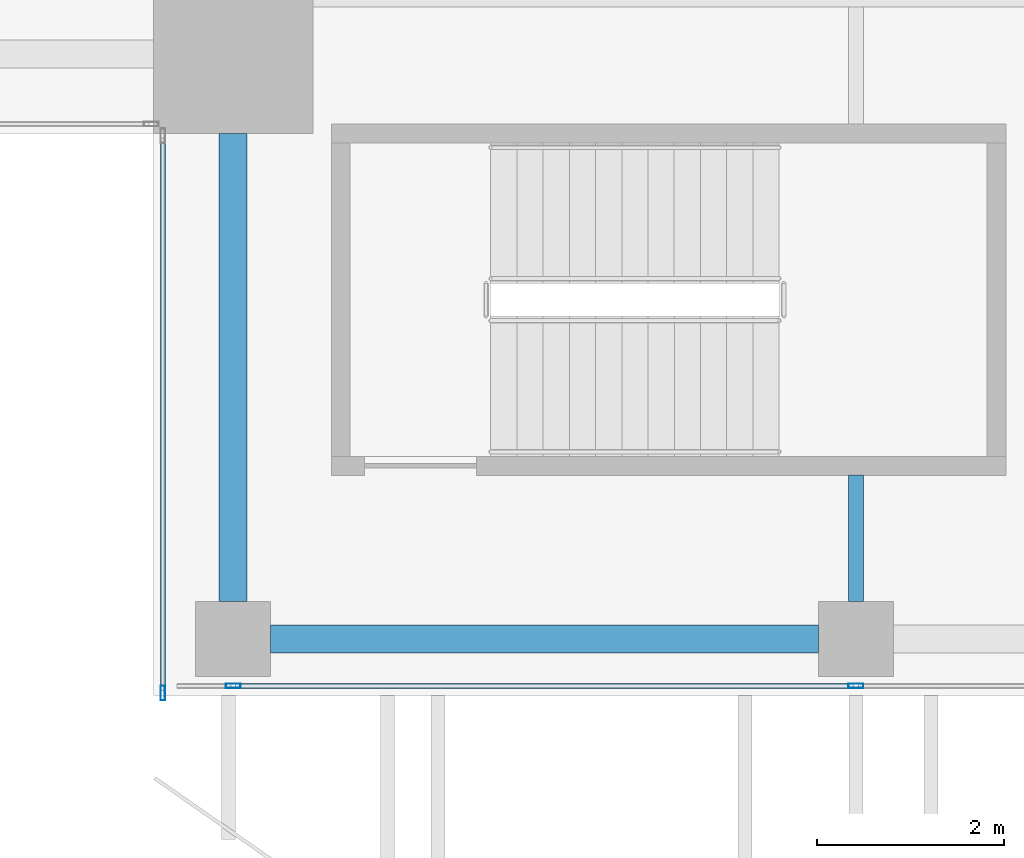
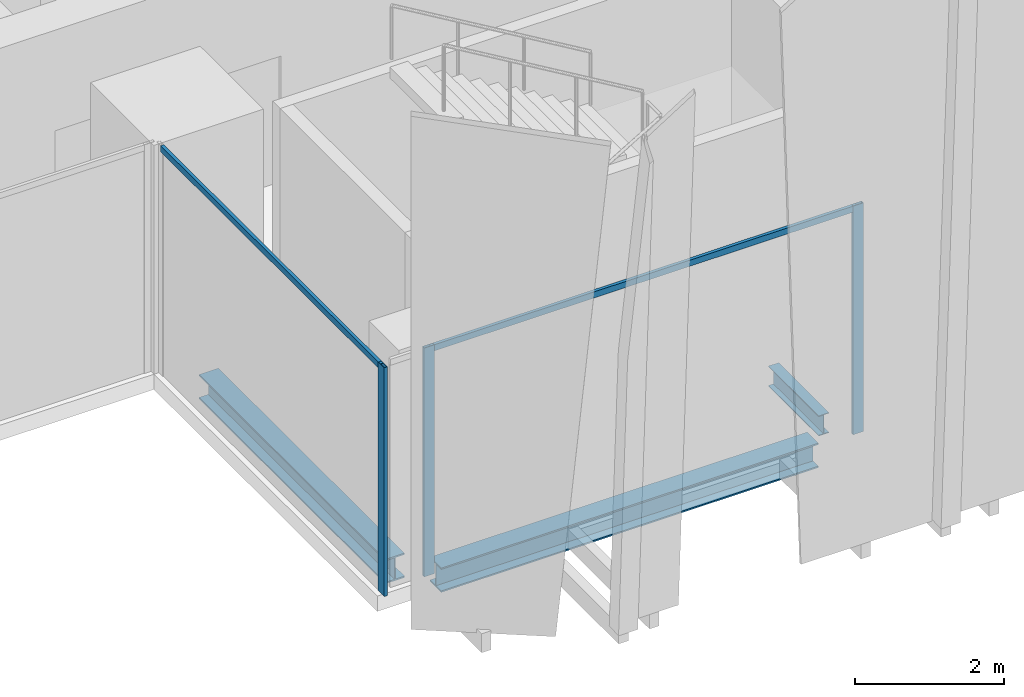
# One storey, part 2 of 32: 5 members, 3 beams, 2 elements without a shape of their own.
"""IFC4 building model written with IfcOpenShell, lengths in metres."""

from ifc_helpers import new_model, si_unit, direction, frame, origin, origin_2d, place, context, subcontext, project, spatial, hollow_rectangle, i_section, extrude, source, transform, mapped, material, material_profile, profile_set, type_object, element, aggregate, save


model = new_model("IFC4")

# Units and contexts
model_context = context("Model", 3, precision=1e-05, world=origin(), true_north=direction((0.0, 1.0)))
body_context = subcontext(model_context, "Body", "Model", "MODEL_VIEW")
ifc_project = project(units=[si_unit("LENGTHUNIT", "METRE"), si_unit("AREAUNIT", "SQUARE_METRE"), si_unit("VOLUMEUNIT", "CUBIC_METRE"), si_unit("PLANEANGLEUNIT", "RADIAN"), si_unit("MASSUNIT", "GRAM", prefix="KILO")], contexts=[model_context])

# Site, building, storey
site_placement = place(None, origin())
site = spatial("IfcSite", under=ifc_project, at=site_placement, CompositionType="ELEMENT")
building_placement = place(site_placement, origin())
building = spatial("IfcBuilding", under=site, at=building_placement, Name="Khomas Fold Tower", CompositionType="ELEMENT")
storey_placement = place(building_placement, frame((0.0, 0.0, 306.199951171875)))
storey = spatial("IfcBuildingStorey", under=building, at=storey_placement, Name="L69", CompositionType="ELEMENT", Elevation=306.199951171875)

# Beams
ifc_material_1 = material(Name="Steel S355", Category="steel")
ifc_material_profile_1 = material_profile(ifc_material_1, i_section(OverallWidth=0.159912109375, OverallDepth=0.330078125, WebThickness=0.007568359375, FlangeThickness=0.011474609375, at=origin_2d()), Name="IPE 330")
ifc_profile_set_1 = profile_set([ifc_material_profile_1], Name="Steel S355")
beam_type_1 = type_object("IfcBeamType", Name="IPE 330 beam JB1", PredefinedType="BEAM", material=ifc_profile_set_1)
shared_shape_1 = source(origin(), body_context, "Body", "SweptSolid", [
    extrude(i_section(OverallWidth=0.159912109375, OverallDepth=0.330078125, WebThickness=0.007568359375, FlangeThickness=0.011474609375, at=origin_2d()), origin(), (0.0, 0.0, 1.0), 1.35009765625),
])
beam_1_placement = place(storey_placement, frame((19.5, 7.0, -0.4150390625), z_axis=(0.0, 1.0, 0.0), x_axis=(-1.0, 0.0, 0.0)))
element("IfcBeam", 1, at=beam_1_placement, inside=storey, type_object=beam_type_1, Name="JB1", PredefinedType="BEAM", context=body_context, shape_type="MappedRepresentation", body=[
    mapped(shared_shape_1, transform((0.0, 0.0, 0.0))),
])
ifc_material_2 = material(Name="Steel S355", Category="steel")
ifc_material_profile_2 = material_profile(ifc_material_2, i_section(OverallWidth=0.300048828125, OverallDepth=0.39990234375, WebThickness=0.013427734375, FlangeThickness=0.02392578125, at=origin_2d()), Name="HE 400 B")
ifc_profile_set_2 = profile_set([ifc_material_profile_2], Name="Steel S355")
beam_type_2 = type_object("IfcBeamType", Name="HE 400 B spandrel SB5", PredefinedType="SPANDREL", material=ifc_profile_set_2)
shared_shape_2 = source(origin(), body_context, "Body", "SweptSolid", [
    extrude(i_section(OverallWidth=0.300048828125, OverallDepth=0.39990234375, WebThickness=0.013427734375, FlangeThickness=0.02392578125, at=origin_2d()), origin(), (0.0, 0.0, 1.0), 5.85009765625),
])
beam_2_placement = place(storey_placement, frame((13.25, 6.60009765625, -0.449951171875), z_axis=(1.0, 0.0, 0.0), x_axis=(0.0, 1.0, 0.0)))
element("IfcBeam", 2, at=beam_2_placement, inside=storey, type_object=beam_type_2, Name="SB5", PredefinedType="SPANDREL", context=body_context, shape_type="MappedRepresentation", body=[
    mapped(shared_shape_2, transform((0.0, 0.0, 0.0))),
])
shared_shape_3 = source(origin(), body_context, "Body", "SweptSolid", [
    extrude(i_section(OverallWidth=0.300048828125, OverallDepth=0.39990234375, WebThickness=0.013427734375, FlangeThickness=0.02392578125, at=origin_2d()), origin(), (0.0, 0.0, 1.0), 5.0),
])
beam_3_placement = place(storey_placement, frame((12.85009765625, 7.0, -0.449951171875), z_axis=(0.0, 1.0, 0.0), x_axis=(-1.0, 0.0, 0.0)))
element("IfcBeam", 3, at=beam_3_placement, inside=storey, type_object=beam_type_2, Name="SB5", PredefinedType="SPANDREL", context=body_context, shape_type="MappedRepresentation", body=[
    mapped(shared_shape_3, transform((0.0, 0.0, 0.0))),
])

# Curtain wall, members
ifc_material_3 = material(Name="Aluminium framed double glazing", Category="aluminium")
curtain_wall_type = type_object("IfcCurtainWallType", Name="SK-Unitised clear-glass wall, upper floors CW3", PredefinedType="NOTDEFINED", material=ifc_material_3)
curtain_wall_1_placement = place(storey_placement, origin())
curtain_wall_1 = element("IfcCurtainWall", 4, at=curtain_wall_1_placement, inside=storey, type_object=curtain_wall_type, Name="CW3 run L69 00-0", PredefinedType="NOTDEFINED")
ifc_material_4 = material(Name="Aluminium", Category="aluminium")
ifc_material_profile_3 = material_profile(ifc_material_4, hollow_rectangle(XDim=0.050048828125, YDim=0.159912109375, WallThickness=0.00390625, at=origin_2d()), Name="SK-Unitised clear-glass wall, upper floors mullion CW3-M")
ifc_profile_set_3 = profile_set([ifc_material_profile_3], Name="Aluminium")
member_type_1 = type_object("IfcMemberType", Name="SK-Unitised clear-glass wall, upper floors mullion CW3-M", PredefinedType="MULLION", material=ifc_profile_set_3)
shared_shape_4 = source(origin(), body_context, "Body", "SweptSolid", [
    extrude(hollow_rectangle(XDim=0.050048828125, YDim=0.159912109375, WallThickness=0.00390625, at=origin_2d()), origin(), (0.0, 0.0, 1.0), 3.75),
])
member_1_placement = place(storey_placement, frame((12.85009765625, 6.10009765625, 0.0), z_axis=(0.0, 0.0, 1.0), x_axis=(0.0, 1.0, 0.0)))
member_1 = element("IfcMember", 5, at=member_1_placement, type_object=member_type_1, Name="CW3 mullion 2", PredefinedType="MULLION", context=body_context, shape_type="MappedRepresentation", body=[
    mapped(shared_shape_4, transform((0.0, 0.0, 0.0))),
])
member_2_placement = place(storey_placement, frame((19.5, 6.10009765625, 0.0), z_axis=(0.0, 0.0, 1.0), x_axis=(0.0, 1.0, 0.0)))
member_2 = element("IfcMember", 6, at=member_2_placement, type_object=member_type_1, Name="CW3 mullion 3", PredefinedType="MULLION", context=body_context, shape_type="MappedRepresentation", body=[
    mapped(shared_shape_4, transform((0.0, 0.0, 0.0))),
])

# Curtain wall, member
curtain_wall_2_placement = place(storey_placement, origin())
curtain_wall_2 = element("IfcCurtainWall", 7, at=curtain_wall_2_placement, inside=storey, type_object=curtain_wall_type, Name="CW3 corner return L69 11", PredefinedType="NOTDEFINED")
member_3_placement = place(storey_placement, frame((12.10009765625, 6.02490234375, 0.0), z_axis=(0.0, 0.0, 1.0), x_axis=(1.0, 0.0, 0.0)))
member_3 = element("IfcMember", 8, at=member_3_placement, type_object=member_type_1, Name="CW3 mullion 2", PredefinedType="MULLION", context=body_context, shape_type="MappedRepresentation", body=[
    mapped(shared_shape_4, transform((0.0, 0.0, 0.0))),
])

# Member
ifc_material_5 = material(Name="Aluminium", Category="aluminium")
ifc_material_profile_4 = material_profile(ifc_material_5, hollow_rectangle(XDim=0.050048828125, YDim=0.10009765625, WallThickness=0.00390625, at=origin_2d()), Name="SK-Unitised clear-glass wall, upper floors transom CW3-T")
ifc_profile_set_4 = profile_set([ifc_material_profile_4], Name="Aluminium")
member_type_2 = type_object("IfcMemberType", Name="SK-Unitised clear-glass wall, upper floors transom CW3-T", PredefinedType="USERDEFINED", material=ifc_profile_set_4)
shared_shape_5 = source(origin(), body_context, "Body", "SweptSolid", [
    extrude(hollow_rectangle(XDim=0.050048828125, YDim=0.10009765625, WallThickness=0.00390625, at=origin_2d()), origin(), (0.0, 0.0, 1.0), 6.60009765625),
])
member_4_placement = place(storey_placement, frame((12.875, 6.10009765625, 3.699951171875), z_axis=(1.0, 0.0, 0.0), x_axis=(0.0, 1.0, 0.0)))
member_4 = element("IfcMember", 9, at=member_4_placement, type_object=member_type_2, Name="CW3 transom 2", ObjectType="TRANSOM", PredefinedType="USERDEFINED", context=body_context, shape_type="MappedRepresentation", body=[
    mapped(shared_shape_5, transform((0.0, 0.0, 0.0))),
])

aggregate(curtain_wall_1, [member_1, member_2, member_4])

shared_shape_6 = source(origin(), body_context, "Body", "SweptSolid", [
    extrude(hollow_rectangle(XDim=0.050048828125, YDim=0.10009765625, WallThickness=0.00390625, at=origin_2d()), origin(), (0.0, 0.0, 1.0), 5.89990234375),
])
member_5_placement = place(storey_placement, frame((12.10009765625, 11.949951171875, 3.699951171875), z_axis=(0.0, -1.0, 0.0), x_axis=(1.0, 0.0, 0.0)))
member_5 = element("IfcMember", 10, at=member_5_placement, type_object=member_type_2, Name="CW3 transom 1", ObjectType="TRANSOM", PredefinedType="USERDEFINED", context=body_context, shape_type="MappedRepresentation", body=[
    mapped(shared_shape_6, transform((0.0, 0.0, 0.0))),
])

aggregate(curtain_wall_2, [member_3, member_5])

save(model, "model.ifc")
